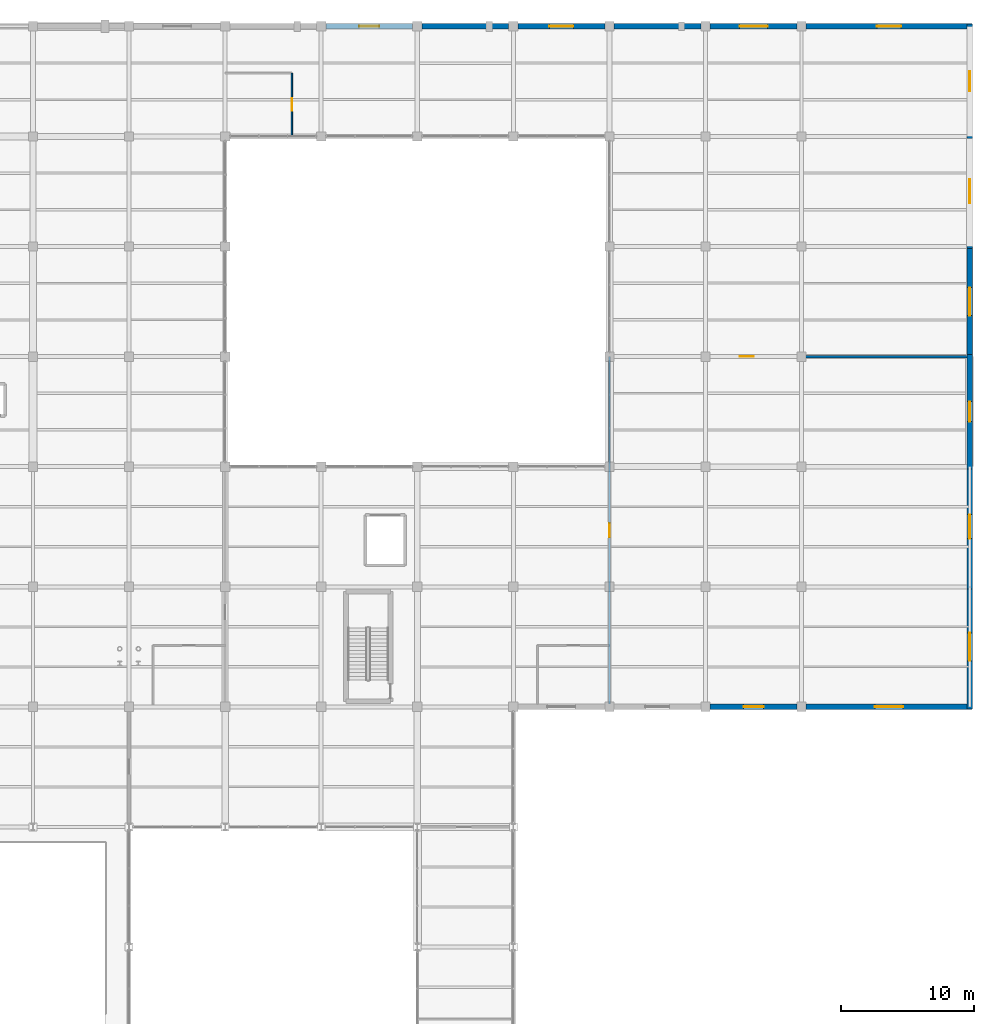
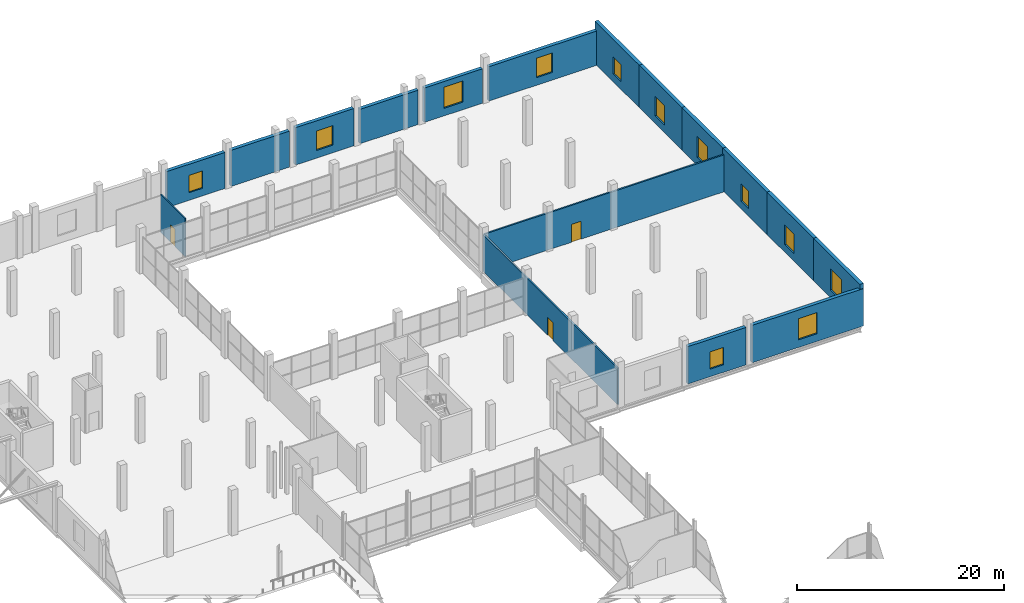
# One storey, part 136 of 147: 17 walls, 12 windows, 3 doors, 15 openings.
"""IFC4 building model written with IfcOpenShell, lengths in metres."""

from ifc_helpers import new_model, si_unit, direction, frame, frame_2d, origin, place, context, subcontext, project, spatial, rectangle, extrude, material, layer, layer_set, type_object, element, fill, save


model = new_model("IFC4")

# Units and contexts
model_context = context("Model", 3, precision=1e-05, world=origin(), true_north=direction((0.0, 1.0)))
body_context = subcontext(model_context, "Body", "Model", "MODEL_VIEW")
ifc_project = project(units=[si_unit("LENGTHUNIT", "METRE"), si_unit("AREAUNIT", "SQUARE_METRE"), si_unit("VOLUMEUNIT", "CUBIC_METRE"), si_unit("PLANEANGLEUNIT", "RADIAN"), si_unit("MASSUNIT", "GRAM", prefix="KILO")], contexts=[model_context])

# Site, building, storey
site_placement = place(None, origin())
site = spatial("IfcSite", under=ifc_project, at=site_placement, CompositionType="ELEMENT")
building_placement = place(site_placement, origin())
building = spatial("IfcBuilding", under=site, at=building_placement, Name="Sundgate Opera House", CompositionType="ELEMENT")
storey_placement = place(building_placement, frame((0.0, 0.0, 6.0)))
storey = spatial("IfcBuildingStorey", under=building, at=storey_placement, Name="L01", CompositionType="ELEMENT", Elevation=6.0)

# Wall, opening, window
ifc_material_1 = material(Name="Scanian red-brown facing brick masonry", Category="masonry")
ifc_layer_1 = layer(ifc_material_1, 0.389892578125)
ifc_layer_set_1 = layer_set([ifc_layer_1], Name="Scanian red-brown facing brick masonry")
wall_type_1 = type_object("IfcWallType", Name="WL-EXT-BRICK-390", PredefinedType="SOLIDWALL", material=ifc_layer_set_1)
wall_1_placement = place(storey_placement, frame((131.7451171875, 120.0, 0.0), z_axis=(0.0, 0.0, 1.0), x_axis=(1.0, 0.0, 0.0)))
wall_1 = element("IfcWall", 1, at=wall_1_placement, inside=storey, type_object=wall_type_1, Name="L01 Conservatory North Brick Wall W0202", PredefinedType="SOLIDWALL", context=body_context, shape_type="SweptSolid", body=[
    extrude(rectangle(XDim=6.509765625, YDim=0.389892578125, at=frame_2d((3.2548828125, 0.0))), origin(), (0.0, 0.0, 1.0), 4.264892578125),
])
opening_1_placement = place(wall_1_placement, frame((2.5048828125, 0.0, 0.89990234375)))
opening_1 = element("IfcOpeningElement", 2, at=opening_1_placement, cuts=wall_1, Name="Opening W06", PredefinedType="OPENING", context=body_context, shape_type="SweptSolid", body=[
    extrude(rectangle(XDim=1.5, YDim=2.050048828125, at=frame_2d((0.75, 1.02490234375))), frame((0.0, 0.204833984375, 0.0), z_axis=(0.0, -1.0, 0.0), x_axis=(1.0, 0.0, 0.0)), (0.0, 0.0, 1.0), 0.409912109375),
])
ifc_material_2 = material(Name="Low-iron triple glazing in patinated bronze frame", Category="glass")
window_type_1 = type_object("IfcWindowType", Name="WN-CONS-1500x2050", PartitioningType="SINGLE_PANEL", PredefinedType="WINDOW", material=ifc_material_2)
window_1_placement = place(opening_1_placement, origin())
window_1 = element("IfcWindow", 3, at=window_1_placement, inside=storey, type_object=window_type_1, Name="L01 Conservatory Window WN0157", OverallHeight=2.050048828125, OverallWidth=1.5, PartitioningType="SINGLE_PANEL", PredefinedType="WINDOW", context=body_context, shape_type="SweptSolid", body=[
    extrude(rectangle(XDim=1.5, YDim=2.050048828125, at=frame_2d((0.75, 1.02490234375))), frame((0.0, 0.030029296875, 0.0), z_axis=(0.0, -1.0, 0.0), x_axis=(1.0, 0.0, 0.0)), (0.0, 0.0, 1.0), 0.06005859375),
])
fill(opening_1, window_1)

# Wall
wall_2_placement = place(storey_placement, frame((138.945068359375, 120.0, 0.0), z_axis=(0.0, 0.0, 1.0), x_axis=(1.0, 0.0, 0.0)))
element("IfcWall", 4, at=wall_2_placement, inside=storey, type_object=wall_type_1, Name="L01 Conservatory North Brick Wall W0203", PredefinedType="SOLIDWALL", context=body_context, shape_type="SweptSolid", body=[
    extrude(rectangle(XDim=6.510009765625, YDim=0.389892578125, at=frame_2d((3.2548828125, 0.0))), origin(), (0.0, 0.0, 1.0), 4.264892578125),
])

# Wall, opening, window
wall_3_placement = place(storey_placement, frame((146.14501953125, 120.0, 0.0), z_axis=(0.0, 0.0, 1.0), x_axis=(1.0, 0.0, 0.0)))
wall_3 = element("IfcWall", 5, at=wall_3_placement, inside=storey, type_object=wall_type_1, Name="L01 Conservatory North Brick Wall W0204", PredefinedType="SOLIDWALL", context=body_context, shape_type="SweptSolid", body=[
    extrude(rectangle(XDim=6.510009765625, YDim=0.389892578125, at=frame_2d((3.2548828125, 0.0))), origin(), (0.0, 0.0, 1.0), 4.4150390625),
])
opening_2_placement = place(wall_3_placement, frame((2.35498046875, 0.0, 0.89990234375)))
opening_2 = element("IfcOpeningElement", 6, at=opening_2_placement, cuts=wall_3, Name="Opening W05", PredefinedType="OPENING", context=body_context, shape_type="SweptSolid", body=[
    extrude(rectangle(XDim=1.800048828125, YDim=2.300048828125, at=frame_2d((0.89990234375, 1.14990234375))), frame((0.0, 0.204833984375, 0.0), z_axis=(0.0, -1.0, 0.0), x_axis=(1.0, 0.0, 0.0)), (0.0, 0.0, 1.0), 0.409912109375),
])
ifc_material_3 = material(Name="Low-iron triple glazing in patinated bronze frame", Category="glass")
window_type_2 = type_object("IfcWindowType", Name="WN-CONS-1800x2300", PartitioningType="SINGLE_PANEL", PredefinedType="WINDOW", material=ifc_material_3)
window_2_placement = place(opening_2_placement, origin())
window_2 = element("IfcWindow", 7, at=window_2_placement, inside=storey, type_object=window_type_2, Name="L01 Conservatory Window WN0158", OverallHeight=2.300048828125, OverallWidth=1.800048828125, PartitioningType="SINGLE_PANEL", PredefinedType="WINDOW", context=body_context, shape_type="SweptSolid", body=[
    extrude(rectangle(XDim=1.800048828125, YDim=2.300048828125, at=frame_2d((0.89990234375, 1.14990234375))), frame((0.0, 0.030029296875, 0.0), z_axis=(0.0, -1.0, 0.0), x_axis=(1.0, 0.0, 0.0)), (0.0, 0.0, 1.0), 0.06005859375),
])
fill(opening_2, window_2)

# Wall
wall_4_placement = place(storey_placement, frame((153.344970703125, 120.0, 0.0), z_axis=(0.0, 0.0, 1.0), x_axis=(1.0, 0.0, 0.0)))
element("IfcWall", 8, at=wall_4_placement, inside=storey, type_object=wall_type_1, Name="L01 Conservatory North Brick Wall W0205", PredefinedType="SOLIDWALL", context=body_context, shape_type="SweptSolid", body=[
    extrude(rectangle(XDim=6.510009765625, YDim=0.389892578125, at=frame_2d((3.2548828125, 0.0))), origin(), (0.0, 0.0, 1.0), 4.06494140625),
])

# Wall, opening, window
wall_5_placement = place(storey_placement, frame((160.544921875, 120.0, 0.0), z_axis=(0.0, 0.0, 1.0), x_axis=(1.0, 0.0, 0.0)))
wall_5 = element("IfcWall", 9, at=wall_5_placement, inside=storey, type_object=wall_type_1, Name="L01 Conservatory North Brick Wall W0206", PredefinedType="SOLIDWALL", context=body_context, shape_type="SweptSolid", body=[
    extrude(rectangle(XDim=6.510009765625, YDim=0.389892578125, at=frame_2d((3.2548828125, 0.0))), origin(), (0.0, 0.0, 1.0), 4.06494140625),
])
opening_3_placement = place(wall_5_placement, frame((2.205078125, 0.0, 0.89990234375)))
opening_3 = element("IfcOpeningElement", 10, at=opening_3_placement, cuts=wall_5, Name="Opening W04", PredefinedType="OPENING", context=body_context, shape_type="SweptSolid", body=[
    extrude(rectangle(XDim=2.10009765625, YDim=2.5, at=frame_2d((1.050048828125, 1.25))), frame((0.0, 0.204833984375, 0.0), z_axis=(0.0, -1.0, 0.0), x_axis=(1.0, 0.0, 0.0)), (0.0, 0.0, 1.0), 0.409912109375),
])
ifc_material_4 = material(Name="Low-iron triple glazing in patinated bronze frame", Category="glass")
window_type_3 = type_object("IfcWindowType", Name="WN-CONS-2100x2500", PartitioningType="SINGLE_PANEL", PredefinedType="WINDOW", material=ifc_material_4)
window_3_placement = place(opening_3_placement, origin())
window_3 = element("IfcWindow", 11, at=window_3_placement, inside=storey, type_object=window_type_3, Name="L01 Conservatory Window WN0159", OverallHeight=2.5, OverallWidth=2.10009765625, PartitioningType="SINGLE_PANEL", PredefinedType="WINDOW", context=body_context, shape_type="SweptSolid", body=[
    extrude(rectangle(XDim=2.10009765625, YDim=2.5, at=frame_2d((1.050048828125, 1.25))), frame((0.0, 0.030029296875, 0.0), z_axis=(0.0, -1.0, 0.0), x_axis=(1.0, 0.0, 0.0)), (0.0, 0.0, 1.0), 0.06005859375),
])
fill(opening_3, window_3)

wall_6_placement = place(storey_placement, frame((167.7451171875, 120.0, 0.0), z_axis=(0.0, 0.0, 1.0), x_axis=(1.0, 0.0, 0.0)))
wall_6 = element("IfcWall", 12, at=wall_6_placement, inside=storey, type_object=wall_type_1, Name="L01 Conservatory North Brick Wall W0207", PredefinedType="SOLIDWALL", context=body_context, shape_type="SweptSolid", body=[
    extrude(rectangle(XDim=12.414794921875, YDim=0.389892578125, at=frame_2d((6.20751953125, 0.0))), origin(), (0.0, 0.0, 1.0), 4.06494140625),
])
opening_4_placement = place(wall_6_placement, frame((5.306884765625, 0.0, 0.89990234375)))
opening_4 = element("IfcOpeningElement", 13, at=opening_4_placement, cuts=wall_6, Name="Opening W05", PredefinedType="OPENING", context=body_context, shape_type="SweptSolid", body=[
    extrude(rectangle(XDim=1.800048828125, YDim=2.300048828125, at=frame_2d((0.89990234375, 1.14990234375))), frame((0.0, 0.204833984375, 0.0), z_axis=(0.0, -1.0, 0.0), x_axis=(1.0, 0.0, 0.0)), (0.0, 0.0, 1.0), 0.409912109375),
])
window_4_placement = place(opening_4_placement, origin())
window_4 = element("IfcWindow", 14, at=window_4_placement, inside=storey, type_object=window_type_2, Name="L01 Conservatory Window WN0160", OverallHeight=2.300048828125, OverallWidth=1.800048828125, PartitioningType="SINGLE_PANEL", PredefinedType="WINDOW", context=body_context, shape_type="SweptSolid", body=[
    extrude(rectangle(XDim=1.800048828125, YDim=2.300048828125, at=frame_2d((0.89990234375, 1.14990234375))), frame((0.0, 0.030029296875, 0.0), z_axis=(0.0, -1.0, 0.0), x_axis=(1.0, 0.0, 0.0)), (0.0, 0.0, 1.0), 0.06005859375),
])
fill(opening_4, window_4)

wall_7_placement = place(storey_placement, frame((180.0, 78.159912109375, 0.0), z_axis=(0.0, 0.0, 1.0), x_axis=(0.0, -1.0, 0.0)))
wall_7 = element("IfcWall", 15, at=wall_7_placement, inside=storey, type_object=wall_type_1, Name="L01 Conservatory East Brick Wall W0208", PredefinedType="SOLIDWALL", context=body_context, shape_type="SweptSolid", body=[
    extrude(rectangle(XDim=9.31982421875, YDim=0.389892578125, at=frame_2d((4.659912109375, 0.0))), origin(), (0.0, 0.0, 1.0), 5.014892578125),
])
opening_5_placement = place(wall_7_placement, frame((3.610107421875, 0.0, 0.89990234375)))
opening_5 = element("IfcOpeningElement", 16, at=opening_5_placement, cuts=wall_7, Name="Opening W04", PredefinedType="OPENING", context=body_context, shape_type="SweptSolid", body=[
    extrude(rectangle(XDim=2.10009765625, YDim=2.5, at=frame_2d((1.050048828125, 1.25))), frame((0.0, 0.204833984375, 0.0), z_axis=(0.0, -1.0, 0.0), x_axis=(1.0, 0.0, 0.0)), (0.0, 0.0, 1.0), 0.409912109375),
])
window_5_placement = place(opening_5_placement, origin())
window_5 = element("IfcWindow", 17, at=window_5_placement, inside=storey, type_object=window_type_3, Name="L01 Conservatory Window WN0161", OverallHeight=2.5, OverallWidth=2.10009765625, PartitioningType="SINGLE_PANEL", PredefinedType="WINDOW", context=body_context, shape_type="SweptSolid", body=[
    extrude(rectangle(XDim=2.10009765625, YDim=2.5, at=frame_2d((1.050048828125, 1.25))), frame((0.0, 0.030029296875, 0.0), z_axis=(0.0, -1.0, 0.0), x_axis=(1.0, 0.0, 0.0)), (0.0, 0.0, 1.0), 0.06005859375),
])
fill(opening_5, window_5)

wall_8_placement = place(storey_placement, frame((180.0, 87.159912109375, 0.0), z_axis=(0.0, 0.0, 1.0), x_axis=(0.0, -1.0, 0.0)))
wall_8 = element("IfcWall", 18, at=wall_8_placement, inside=storey, type_object=wall_type_1, Name="L01 Conservatory East Brick Wall W0209", PredefinedType="SOLIDWALL", context=body_context, shape_type="SweptSolid", body=[
    extrude(rectangle(XDim=9.31982421875, YDim=0.389892578125, at=frame_2d((4.659912109375, 0.0))), origin(), (0.0, 0.0, 1.0), 5.014892578125),
])
opening_6_placement = place(wall_8_placement, frame((3.760009765625, 0.0, 0.89990234375)))
opening_6 = element("IfcOpeningElement", 19, at=opening_6_placement, cuts=wall_8, Name="Opening W05", PredefinedType="OPENING", context=body_context, shape_type="SweptSolid", body=[
    extrude(rectangle(XDim=1.800048828125, YDim=2.300048828125, at=frame_2d((0.89990234375, 1.14990234375))), frame((0.0, 0.204833984375, 0.0), z_axis=(0.0, -1.0, 0.0), x_axis=(1.0, 0.0, 0.0)), (0.0, 0.0, 1.0), 0.409912109375),
])
window_6_placement = place(opening_6_placement, origin())
window_6 = element("IfcWindow", 20, at=window_6_placement, inside=storey, type_object=window_type_2, Name="L01 Conservatory Window WN0162", OverallHeight=2.300048828125, OverallWidth=1.800048828125, PartitioningType="SINGLE_PANEL", PredefinedType="WINDOW", context=body_context, shape_type="SweptSolid", body=[
    extrude(rectangle(XDim=1.800048828125, YDim=2.300048828125, at=frame_2d((0.89990234375, 1.14990234375))), frame((0.0, 0.030029296875, 0.0), z_axis=(0.0, -1.0, 0.0), x_axis=(1.0, 0.0, 0.0)), (0.0, 0.0, 1.0), 0.06005859375),
])
fill(opening_6, window_6)

wall_9_placement = place(storey_placement, frame((180.0, 95.409912109375, 0.0), z_axis=(0.0, 0.0, 1.0), x_axis=(0.0, -1.0, 0.0)))
wall_9 = element("IfcWall", 21, at=wall_9_placement, inside=storey, type_object=wall_type_1, Name="L01 Conservatory East Brick Wall W0210", PredefinedType="SOLIDWALL", context=body_context, shape_type="SweptSolid", body=[
    extrude(rectangle(XDim=8.56982421875, YDim=0.389892578125, at=frame_2d((4.284912109375, 0.0))), origin(), (0.0, 0.0, 1.0), 5.014892578125),
])
opening_7_placement = place(wall_9_placement, frame((3.534912109375, 0.0, 0.89990234375)))
opening_7 = element("IfcOpeningElement", 22, at=opening_7_placement, cuts=wall_9, Name="Opening W06", PredefinedType="OPENING", context=body_context, shape_type="SweptSolid", body=[
    extrude(rectangle(XDim=1.5, YDim=2.050048828125, at=frame_2d((0.75, 1.02490234375))), frame((0.0, 0.204833984375, 0.0), z_axis=(0.0, -1.0, 0.0), x_axis=(1.0, 0.0, 0.0)), (0.0, 0.0, 1.0), 0.409912109375),
])
window_7_placement = place(opening_7_placement, origin())
window_7 = element("IfcWindow", 23, at=window_7_placement, inside=storey, type_object=window_type_1, Name="L01 Conservatory Window WN0163", OverallHeight=2.050048828125, OverallWidth=1.5, PartitioningType="SINGLE_PANEL", PredefinedType="WINDOW", context=body_context, shape_type="SweptSolid", body=[
    extrude(rectangle(XDim=1.5, YDim=2.050048828125, at=frame_2d((0.75, 1.02490234375))), frame((0.0, 0.030029296875, 0.0), z_axis=(0.0, -1.0, 0.0), x_axis=(1.0, 0.0, 0.0)), (0.0, 0.0, 1.0), 0.06005859375),
])
fill(opening_7, window_7)

wall_10_placement = place(storey_placement, frame((180.0, 103.659912109375, 0.0), z_axis=(0.0, 0.0, 1.0), x_axis=(0.0, -1.0, 0.0)))
wall_10 = element("IfcWall", 24, at=wall_10_placement, inside=storey, type_object=wall_type_1, Name="L01 Conservatory East Brick Wall W0211", PredefinedType="SOLIDWALL", context=body_context, shape_type="SweptSolid", body=[
    extrude(rectangle(XDim=8.56982421875, YDim=0.389892578125, at=frame_2d((4.284912109375, 0.0))), origin(), (0.0, 0.0, 1.0), 5.014892578125),
])
opening_8_placement = place(wall_10_placement, frame((3.235107421875, 0.0, 0.89990234375)))
opening_8 = element("IfcOpeningElement", 25, at=opening_8_placement, cuts=wall_10, Name="Opening W04", PredefinedType="OPENING", context=body_context, shape_type="SweptSolid", body=[
    extrude(rectangle(XDim=2.10009765625, YDim=2.5, at=frame_2d((1.050048828125, 1.25))), frame((0.0, 0.204833984375, 0.0), z_axis=(0.0, -1.0, 0.0), x_axis=(1.0, 0.0, 0.0)), (0.0, 0.0, 1.0), 0.409912109375),
])
window_8_placement = place(opening_8_placement, origin())
window_8 = element("IfcWindow", 26, at=window_8_placement, inside=storey, type_object=window_type_3, Name="L01 Conservatory Window WN0164", OverallHeight=2.5, OverallWidth=2.10009765625, PartitioningType="SINGLE_PANEL", PredefinedType="WINDOW", context=body_context, shape_type="SweptSolid", body=[
    extrude(rectangle(XDim=2.10009765625, YDim=2.5, at=frame_2d((1.050048828125, 1.25))), frame((0.0, 0.030029296875, 0.0), z_axis=(0.0, -1.0, 0.0), x_axis=(1.0, 0.0, 0.0)), (0.0, 0.0, 1.0), 0.06005859375),
])
fill(opening_8, window_8)

wall_11_placement = place(storey_placement, frame((180.0, 111.909912109375, 0.0), z_axis=(0.0, 0.0, 1.0), x_axis=(0.0, -1.0, 0.0)))
wall_11 = element("IfcWall", 27, at=wall_11_placement, inside=storey, type_object=wall_type_1, Name="L01 Conservatory East Brick Wall W0212", PredefinedType="SOLIDWALL", context=body_context, shape_type="SweptSolid", body=[
    extrude(rectangle(XDim=8.56982421875, YDim=0.389892578125, at=frame_2d((4.284912109375, 0.0))), origin(), (0.0, 0.0, 1.0), 5.014892578125),
])
opening_9_placement = place(wall_11_placement, frame((3.385009765625, 0.0, 0.89990234375)))
opening_9 = element("IfcOpeningElement", 28, at=opening_9_placement, cuts=wall_11, Name="Opening W05", PredefinedType="OPENING", context=body_context, shape_type="SweptSolid", body=[
    extrude(rectangle(XDim=1.800048828125, YDim=2.300048828125, at=frame_2d((0.89990234375, 1.14990234375))), frame((0.0, 0.204833984375, 0.0), z_axis=(0.0, -1.0, 0.0), x_axis=(1.0, 0.0, 0.0)), (0.0, 0.0, 1.0), 0.409912109375),
])
window_9_placement = place(opening_9_placement, origin())
window_9 = element("IfcWindow", 29, at=window_9_placement, inside=storey, type_object=window_type_2, Name="L01 Conservatory Window WN0165", OverallHeight=2.300048828125, OverallWidth=1.800048828125, PartitioningType="SINGLE_PANEL", PredefinedType="WINDOW", context=body_context, shape_type="SweptSolid", body=[
    extrude(rectangle(XDim=1.800048828125, YDim=2.300048828125, at=frame_2d((0.89990234375, 1.14990234375))), frame((0.0, 0.030029296875, 0.0), z_axis=(0.0, -1.0, 0.0), x_axis=(1.0, 0.0, 0.0)), (0.0, 0.0, 1.0), 0.06005859375),
])
fill(opening_9, window_9)

wall_12_placement = place(storey_placement, frame((180.0, 120.159912109375, 0.0), z_axis=(0.0, 0.0, 1.0), x_axis=(0.0, -1.0, 0.0)))
wall_12 = element("IfcWall", 30, at=wall_12_placement, inside=storey, type_object=wall_type_1, Name="L01 Conservatory East Brick Wall W0213", PredefinedType="SOLIDWALL", context=body_context, shape_type="SweptSolid", body=[
    extrude(rectangle(XDim=8.56982421875, YDim=0.389892578125, at=frame_2d((4.284912109375, 0.0))), origin(), (0.0, 0.0, 1.0), 5.014892578125),
])
opening_10_placement = place(wall_12_placement, frame((3.534912109375, 0.0, 0.89990234375)))
opening_10 = element("IfcOpeningElement", 31, at=opening_10_placement, cuts=wall_12, Name="Opening W06", PredefinedType="OPENING", context=body_context, shape_type="SweptSolid", body=[
    extrude(rectangle(XDim=1.5, YDim=2.050048828125, at=frame_2d((0.75, 1.02490234375))), frame((0.0, 0.204833984375, 0.0), z_axis=(0.0, -1.0, 0.0), x_axis=(1.0, 0.0, 0.0)), (0.0, 0.0, 1.0), 0.409912109375),
])
window_10_placement = place(opening_10_placement, origin())
window_10 = element("IfcWindow", 32, at=window_10_placement, inside=storey, type_object=window_type_1, Name="L01 Conservatory Window WN0166", OverallHeight=2.050048828125, OverallWidth=1.5, PartitioningType="SINGLE_PANEL", PredefinedType="WINDOW", context=body_context, shape_type="SweptSolid", body=[
    extrude(rectangle(XDim=1.5, YDim=2.050048828125, at=frame_2d((0.75, 1.02490234375))), frame((0.0, 0.030029296875, 0.0), z_axis=(0.0, -1.0, 0.0), x_axis=(1.0, 0.0, 0.0)), (0.0, 0.0, 1.0), 0.06005859375),
])
fill(opening_10, window_10)

wall_13_placement = place(storey_placement, frame((167.054931640625, 69.0, 0.0), z_axis=(0.0, 0.0, 1.0), x_axis=(-1.0, 0.0, 0.0)))
wall_13 = element("IfcWall", 33, at=wall_13_placement, inside=storey, type_object=wall_type_1, Name="L01 Conservatory South Brick Wall W0222", PredefinedType="SOLIDWALL", context=body_context, shape_type="SweptSolid", body=[
    extrude(rectangle(XDim=6.510009765625, YDim=0.389892578125, at=frame_2d((3.2548828125, 0.0))), origin(), (0.0, 0.0, 1.0), 4.425048828125),
])
opening_11_placement = place(wall_13_placement, frame((2.5048828125, 0.0, 0.89990234375)))
opening_11 = element("IfcOpeningElement", 34, at=opening_11_placement, cuts=wall_13, Name="Opening W06", PredefinedType="OPENING", context=body_context, shape_type="SweptSolid", body=[
    extrude(rectangle(XDim=1.5, YDim=2.050048828125, at=frame_2d((0.75, 1.02490234375))), frame((0.0, 0.204833984375, 0.0), z_axis=(0.0, -1.0, 0.0), x_axis=(1.0, 0.0, 0.0)), (0.0, 0.0, 1.0), 0.409912109375),
])
window_11_placement = place(opening_11_placement, origin())
window_11 = element("IfcWindow", 35, at=window_11_placement, inside=storey, type_object=window_type_1, Name="L01 Conservatory Window WN0175", OverallHeight=2.050048828125, OverallWidth=1.5, PartitioningType="SINGLE_PANEL", PredefinedType="WINDOW", context=body_context, shape_type="SweptSolid", body=[
    extrude(rectangle(XDim=1.5, YDim=2.050048828125, at=frame_2d((0.75, 1.02490234375))), frame((0.0, 0.030029296875, 0.0), z_axis=(0.0, -1.0, 0.0), x_axis=(1.0, 0.0, 0.0)), (0.0, 0.0, 1.0), 0.06005859375),
])
fill(opening_11, window_11)

wall_14_placement = place(storey_placement, frame((180.159912109375, 69.0, 0.0), z_axis=(0.0, 0.0, 1.0), x_axis=(-1.0, 0.0, 0.0)))
wall_14 = element("IfcWall", 36, at=wall_14_placement, inside=storey, type_object=wall_type_1, Name="L01 Conservatory South Brick Wall W0223", PredefinedType="SOLIDWALL", context=body_context, shape_type="SweptSolid", body=[
    extrude(rectangle(XDim=12.414794921875, YDim=0.389892578125, at=frame_2d((6.20751953125, 0.0))), origin(), (0.0, 0.0, 1.0), 4.425048828125),
])
opening_12_placement = place(wall_14_placement, frame((5.156982421875, 0.0, 0.89990234375)))
opening_12 = element("IfcOpeningElement", 37, at=opening_12_placement, cuts=wall_14, Name="Opening W04", PredefinedType="OPENING", context=body_context, shape_type="SweptSolid", body=[
    extrude(rectangle(XDim=2.10009765625, YDim=2.5, at=frame_2d((1.050048828125, 1.25))), frame((0.0, 0.204833984375, 0.0), z_axis=(0.0, -1.0, 0.0), x_axis=(1.0, 0.0, 0.0)), (0.0, 0.0, 1.0), 0.409912109375),
])
window_12_placement = place(opening_12_placement, origin())
window_12 = element("IfcWindow", 38, at=window_12_placement, inside=storey, type_object=window_type_3, Name="L01 Conservatory Window WN0176", OverallHeight=2.5, OverallWidth=2.10009765625, PartitioningType="SINGLE_PANEL", PredefinedType="WINDOW", context=body_context, shape_type="SweptSolid", body=[
    extrude(rectangle(XDim=2.10009765625, YDim=2.5, at=frame_2d((1.050048828125, 1.25))), frame((0.0, 0.030029296875, 0.0), z_axis=(0.0, -1.0, 0.0), x_axis=(1.0, 0.0, 0.0)), (0.0, 0.0, 1.0), 0.06005859375),
])
fill(opening_12, window_12)

# Wall, opening, door
ifc_material_5 = material(Name="Acoustic rehearsal stud partition", Category="gypsum")
ifc_layer_2 = layer(ifc_material_5, 0.175048828125)
ifc_layer_set_2 = layer_set([ifc_layer_2], Name="Acoustic rehearsal stud partition")
wall_type_2 = type_object("IfcWallType", Name="WL-INT-PART-175", PredefinedType="PARTITIONING", material=ifc_layer_set_2)
wall_15_placement = place(storey_placement, frame((153.0, 69.199951171875, 0.0), z_axis=(0.0, 0.0, 1.0), x_axis=(0.0, 1.0, 0.0)))
wall_15 = element("IfcWall", 39, at=wall_15_placement, inside=storey, type_object=wall_type_2, Name="L01 Interior Partition W1041", PredefinedType="PARTITIONING", context=body_context, shape_type="SweptSolid", body=[
    extrude(rectangle(XDim=26.050048828125, YDim=0.175048828125, at=frame_2d((13.02490234375, 0.0))), origin(), (0.0, 0.0, 1.0), 4.31494140625),
])
opening_13_placement = place(wall_15_placement, frame((12.5, 0.0, 0.0)))
opening_13 = element("IfcOpeningElement", 40, at=opening_13_placement, cuts=wall_15, Name="Opening DI08", PredefinedType="OPENING", context=body_context, shape_type="SweptSolid", body=[
    extrude(rectangle(XDim=1.050048828125, YDim=2.1201171875, at=frame_2d((0.52490234375, 1.06005859375))), frame((0.0, 0.097412109375, 0.0), z_axis=(0.0, -1.0, 0.0), x_axis=(1.0, 0.0, 0.0)), (0.0, 0.0, 1.0), 0.195068359375),
])
ifc_material_6 = material(Name="Acoustic hardwood timber and steel core", Category="steel")
door_type_1 = type_object("IfcDoorType", Name="DR-ROOM-1050x2120", OperationType="NOTDEFINED", PredefinedType="DOOR", material=ifc_material_6)
door_1_placement = place(opening_13_placement, origin())
door_1 = element("IfcDoor", 41, at=door_1_placement, inside=storey, type_object=door_type_1, Name="L01 Interior Door D0208", OperationType="SINGLE_SWING_LEFT", OverallHeight=2.1201171875, OverallWidth=1.050048828125, PredefinedType="DOOR", context=body_context, shape_type="SweptSolid", body=[
    extrude(rectangle(XDim=1.050048828125, YDim=2.1201171875, at=frame_2d((0.52490234375, 1.06005859375))), frame((0.0, 0.02490234375, 0.0), z_axis=(0.0, -1.0, 0.0), x_axis=(1.0, 0.0, 0.0)), (0.0, 0.0, 1.0), 0.050048828125),
])
fill(opening_13, door_1)

wall_16_placement = place(storey_placement, frame((153.0, 95.25, 0.0), z_axis=(0.0, 0.0, 1.0), x_axis=(1.0, 0.0, 0.0)))
wall_16 = element("IfcWall", 42, at=wall_16_placement, inside=storey, type_object=wall_type_2, Name="L01 Interior Partition W1042", PredefinedType="PARTITIONING", context=body_context, shape_type="SweptSolid", body=[
    extrude(rectangle(XDim=26.800048828125, YDim=0.175048828125, at=frame_2d((13.39990234375, 0.0))), origin(), (0.0, 0.0, 1.0), 4.364990234375),
])
opening_14_placement = place(wall_16_placement, frame((9.784912109375, 0.0, 0.0)))
opening_14 = element("IfcOpeningElement", 43, at=opening_14_placement, cuts=wall_16, Name="Opening DI08", PredefinedType="OPENING", context=body_context, shape_type="SweptSolid", body=[
    extrude(rectangle(XDim=1.050048828125, YDim=2.1201171875, at=frame_2d((0.52490234375, 1.06005859375))), frame((0.0, 0.097412109375, 0.0), z_axis=(0.0, -1.0, 0.0), x_axis=(1.0, 0.0, 0.0)), (0.0, 0.0, 1.0), 0.195068359375),
])
door_2_placement = place(opening_14_placement, origin())
door_2 = element("IfcDoor", 44, at=door_2_placement, inside=storey, type_object=door_type_1, Name="L01 Interior Door D0209", OperationType="SINGLE_SWING_RIGHT", OverallHeight=2.1201171875, OverallWidth=1.050048828125, PredefinedType="DOOR", context=body_context, shape_type="SweptSolid", body=[
    extrude(rectangle(XDim=1.050048828125, YDim=2.1201171875, at=frame_2d((0.52490234375, 1.06005859375))), frame((0.0, 0.02490234375, 0.0), z_axis=(0.0, -1.0, 0.0), x_axis=(1.0, 0.0, 0.0)), (0.0, 0.0, 1.0), 0.050048828125),
])
fill(opening_14, door_2)

ifc_material_7 = material(Name="Moisture-resistant sanitary partition", Category="gypsum")
ifc_layer_3 = layer(ifc_material_7, 0.114990234375)
ifc_layer_set_3 = layer_set([ifc_layer_3], Name="Moisture-resistant sanitary partition")
wall_type_3 = type_object("IfcWallType", Name="WL-INT-WET-115", PredefinedType="PARTITIONING", material=ifc_layer_set_3)
wall_17_placement = place(storey_placement, frame((129.199951171875, 111.800048828125, 0.0), z_axis=(0.0, 0.0, 1.0), x_axis=(0.0, 1.0, 0.0)))
wall_17 = element("IfcWall", 45, at=wall_17_placement, inside=storey, type_object=wall_type_3, Name="L01 Interior Partition W1044", PredefinedType="PARTITIONING", context=body_context, shape_type="SweptSolid", body=[
    extrude(rectangle(XDim=4.699951171875, YDim=0.114990234375, at=frame_2d((2.35009765625, 0.0))), origin(), (0.0, 0.0, 1.0), 4.514892578125),
])
opening_15_placement = place(wall_17_placement, frame((1.889892578125, 0.0, 0.0)))
opening_15 = element("IfcOpeningElement", 46, at=opening_15_placement, cuts=wall_17, Name="Opening DI12", PredefinedType="OPENING", context=body_context, shape_type="SweptSolid", body=[
    extrude(rectangle(XDim=0.919921875, YDim=2.080078125, at=frame_2d((0.4599609375, 1.0400390625))), frame((0.0, 0.0673828125, 0.0), z_axis=(0.0, -1.0, 0.0), x_axis=(1.0, 0.0, 0.0)), (0.0, 0.0, 1.0), 0.135009765625),
])
ifc_material_8 = material(Name="Acoustic hardwood timber and steel core", Category="steel")
door_type_2 = type_object("IfcDoorType", Name="DR-WC-920x2080", OperationType="NOTDEFINED", PredefinedType="DOOR", material=ifc_material_8)
door_3_placement = place(opening_15_placement, origin())
door_3 = element("IfcDoor", 47, at=door_3_placement, inside=storey, type_object=door_type_2, Name="L01 Interior Door D0210", OperationType="SINGLE_SWING_LEFT", OverallHeight=2.080078125, OverallWidth=0.919921875, PredefinedType="DOOR", context=body_context, shape_type="SweptSolid", body=[
    extrude(rectangle(XDim=0.919921875, YDim=2.080078125, at=frame_2d((0.4599609375, 1.0400390625))), frame((0.0, 0.02490234375, 0.0), z_axis=(0.0, -1.0, 0.0), x_axis=(1.0, 0.0, 0.0)), (0.0, 0.0, 1.0), 0.050048828125),
])
fill(opening_15, door_3)

save(model, "model.ifc")
